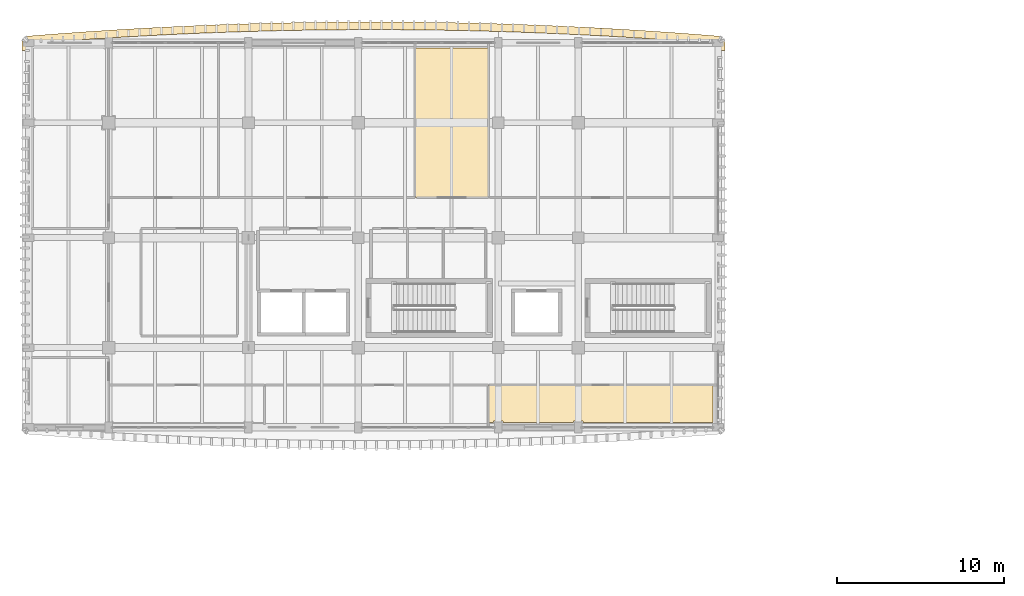
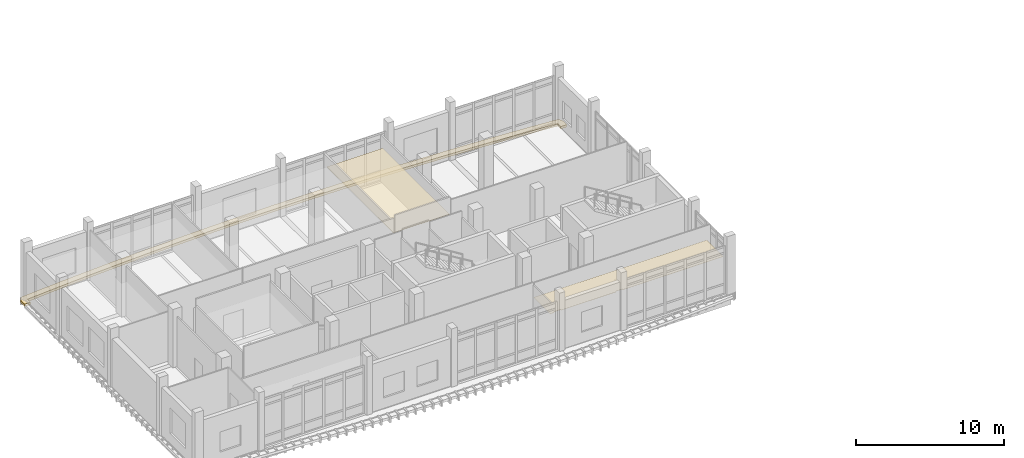
# One storey, part 29 of 39: 3 coverings.
"""IFC4 building model written with IfcOpenShell, lengths in metres."""

from ifc_helpers import new_model, si_unit, direction, frame, origin, place, context, subcontext, project, spatial, polyline, outline, extrude, material, layer, layer_set, type_object, element, save


model = new_model("IFC4")

# Units and contexts
model_context = context("Model", 3, precision=1e-05, world=origin(), true_north=direction((0.0, 1.0)))
body_context = subcontext(model_context, "Body", "Model", "MODEL_VIEW")
ifc_project = project(units=[si_unit("LENGTHUNIT", "METRE"), si_unit("AREAUNIT", "SQUARE_METRE"), si_unit("VOLUMEUNIT", "CUBIC_METRE"), si_unit("PLANEANGLEUNIT", "RADIAN"), si_unit("MASSUNIT", "GRAM", prefix="KILO")], contexts=[model_context])

# Site, building, storey
site_placement = place(None, origin())
site = spatial("IfcSite", under=ifc_project, at=site_placement, CompositionType="ELEMENT")
building_placement = place(site_placement, origin())
building = spatial("IfcBuilding", under=site, at=building_placement, Name="Dornvale Research Institute", CompositionType="ELEMENT")
storey_placement = place(building_placement, frame((0.0, 0.0, 24.60009765625)))
storey = spatial("IfcBuildingStorey", under=building, at=storey_placement, Name="L05", CompositionType="ELEMENT", Elevation=24.60009765625)

# Coverings
ifc_material_1 = material(Name="Mineral-Fibre Acoustic Lay-In Ceiling Tile System")
ifc_layer_1 = layer(ifc_material_1, 0.02001953125)
ifc_layer_set_1 = layer_set([ifc_layer_1], Name="Mineral-Fibre Acoustic Lay-In Ceiling Tile System")
covering_type_1 = type_object("IfcCoveringType", Name="Covering_Acoustic_Ceiling", PredefinedType="CEILING", material=ifc_layer_set_1)
covering_1_placement = place(storey_placement, frame((0.0, 0.0, 2.849853515625)))
element("IfcCovering", 1, at=covering_1_placement, inside=storey, type_object=covering_type_1, Name="L05 Seminar Room L05 suspended ceiling", PredefinedType="CEILING", context=body_context, shape_type="SweptSolid", body=[
    extrude(outline(polyline([(23.219970703125, 112.820068359375), (23.219970703125, 121.800048828125), (27.580078125, 121.800048828125), (27.580078125, 112.820068359375), (23.219970703125, 112.820068359375)])), origin(), (0.0, 0.0, 1.0), 0.02001953125),
])
covering_2_placement = place(storey_placement, frame((0.0, 0.0, 2.849853515625)))
element("IfcCovering", 2, at=covering_2_placement, inside=storey, type_object=covering_type_1, Name="L05 Faculty Office L05-S suspended ceiling", PredefinedType="CEILING", context=body_context, shape_type="SweptSolid", body=[
    extrude(outline(polyline([(28.47509765625, 99.300048828125), (28.47509765625, 99.375), (27.925048828125, 99.375), (27.925048828125, 99.300048828125), (27.6201171875, 99.300048828125), (27.6201171875, 101.530029296875), (41.10009765625, 101.530029296875), (41.10009765625, 99.300048828125), (33.27490234375, 99.300048828125), (33.27490234375, 99.375), (32.72509765625, 99.375), (32.72509765625, 99.300048828125), (28.47509765625, 99.300048828125)])), origin(), (0.0, 0.0, 1.0), 0.02001953125),
])
ifc_material_2 = material(Name="Polychrome Glazed Terracotta Visor Rib Ceramic", Category="masonry")
ifc_layer_2 = layer(ifc_material_2, 0.199951171875)
ifc_layer_set_2 = layer_set([ifc_layer_2], Name="Polychrome Glazed Terracotta Visor Rib Ceramic")
covering_type_2 = type_object("IfcCoveringType", Name="Covering_VisorBrim_Shelf", PredefinedType="CLADDING", material=ifc_layer_set_2)
covering_3_placement = place(storey_placement, frame((0.0, 0.0, -0.280029296875)))
element("IfcCovering", 3, at=covering_3_placement, inside=storey, type_object=covering_type_2, Name="L05 V5 canted bowed-brim visor hood #22", PredefinedType="CLADDING", context=body_context, shape_type="SweptSolid", body=[
    extrude(outline(polyline([(-0.37548828125, 122.246826171875), (-0.296142578125, 122.373779296875), (-0.176025390625, 122.462890625), (-0.03173828125, 122.501953125), (1.624267578125, 122.632568359375), (1.626953125, 122.6328125), (3.282958984375, 122.75244140625), (3.28564453125, 122.75244140625), (4.941650390625, 122.861328125), (4.944091796875, 122.861572265625), (6.60009765625, 122.95947265625), (6.602783203125, 122.959716796875), (8.2587890625, 123.046630859375), (8.261474609375, 123.046875), (9.91748046875, 123.123046875), (9.920166015625, 123.123046875), (11.576171875, 123.188232421875), (11.578857421875, 123.1884765625), (13.23486328125, 123.242919921875), (13.2373046875, 123.242919921875), (14.893310546875, 123.28662109375), (14.89599609375, 123.28662109375), (16.552001953125, 123.319091796875), (16.5546875, 123.319091796875), (18.210693359375, 123.341064453125), (18.21337890625, 123.341064453125), (19.869384765625, 123.351806640625), (19.8720703125, 123.351806640625), (21.528076171875, 123.351806640625), (21.530517578125, 123.351806640625), (23.1865234375, 123.341064453125), (23.189208984375, 123.341064453125), (24.84521484375, 123.319091796875), (24.847900390625, 123.319091796875), (26.50390625, 123.28662109375), (26.506591796875, 123.28662109375), (28.16259765625, 123.242919921875), (28.165283203125, 123.242919921875), (29.8212890625, 123.1884765625), (29.823974609375, 123.188232421875), (31.47998046875, 123.123046875), (31.482421875, 123.123046875), (33.138427734375, 123.046875), (33.14111328125, 123.046630859375), (34.797119140625, 122.959716796875), (34.7998046875, 122.95947265625), (36.455810546875, 122.861572265625), (36.45849609375, 122.861328125), (38.114501953125, 122.75244140625), (38.116943359375, 122.75244140625), (39.77294921875, 122.6328125), (39.775634765625, 122.632568359375), (41.431640625, 122.501953125), (41.575927734375, 122.462890625), (41.696044921875, 122.373779296875), (41.775390625, 122.246826171875), (41.80322265625, 122.10009765625), (41.80322265625, 121.64990234375), (41.340087890625, 121.64990234375), (41.340087890625, 122.04443359375), (39.739501953125, 122.1708984375), (38.083984375, 122.290283203125), (36.42822265625, 122.399169921875), (34.772705078125, 122.4970703125), (33.116943359375, 122.583984375), (31.46142578125, 122.660400390625), (29.805908203125, 122.725341796875), (28.150146484375, 122.77978515625), (26.49462890625, 122.823486328125), (24.839111328125, 122.85595703125), (23.183349609375, 122.877685546875), (21.52783203125, 122.888671875), (19.872314453125, 122.888671875), (18.216552734375, 122.877685546875), (16.56103515625, 122.85595703125), (14.905517578125, 122.823486328125), (13.249755859375, 122.77978515625), (11.59423828125, 122.725341796875), (9.938720703125, 122.660400390625), (8.282958984375, 122.583984375), (6.627197265625, 122.4970703125), (4.9716796875, 122.399169921875), (3.316162109375, 122.290283203125), (1.660400390625, 122.1708984375), (0.06005859375, 122.04443359375), (0.06005859375, 121.64990234375), (-0.4033203125, 121.64990234375), (-0.4033203125, 122.10009765625), (-0.37548828125, 122.246826171875)])), origin(), (0.0, 0.0, 1.0), 0.199951171875),
])

save(model, "model.ifc")
